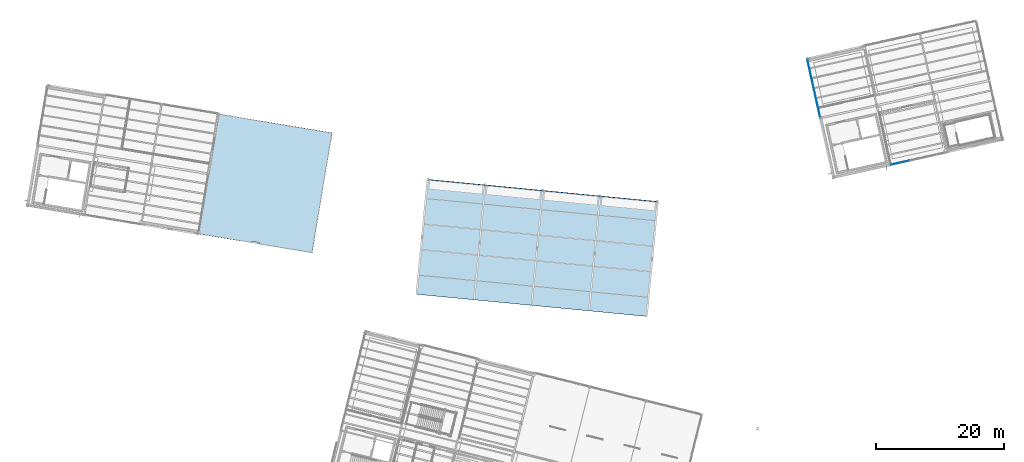
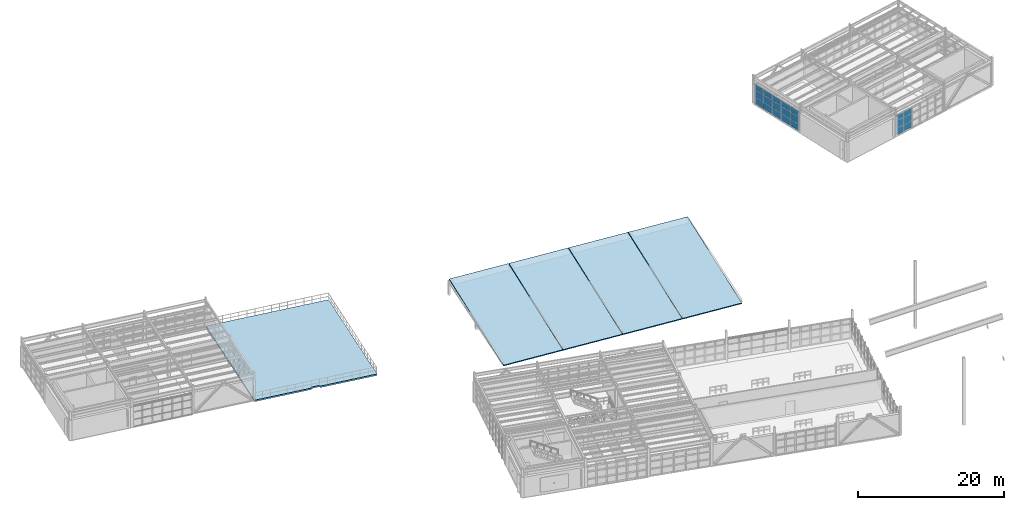
# One storey, part 38 of 59: 21 plates, 5 slabs, 2 elements without a shape of their own.
"""IFC4 building model written with IfcOpenShell, lengths in metres."""

import ifcopenshell
import ifcopenshell.guid

model = None  # the IFC model being written
_history = None  # IfcOwnerHistory: only IFC2X3 demands one
_inside = {}  # id of a spatial element -> (the spatial element, [elements in it])
_under = {}  # id of a project, library or spatial element -> (it, [spatial elements below it])
_declared = {}  # id of a project -> (the project, [libraries it declares])
_typed = {}  # id of a type object -> (the type object, [elements of that type])
_made_of = {}  # id of a material, layer set ... -> (it, [elements and type objects made of it])


def new_model(schema):
    """Start an empty IFC model of exactly this schema.

    Asked for "IFC4X3", IfcOpenShell would pick the latest addendum, in which some entities
    have other attributes; the version numbers below select the first issue.
    IFC2X3 requires an IfcOwnerHistory on every rooted entity: one is made here for all.
    """
    global model, _history
    if schema == "IFC4X3":
        model = ifcopenshell.file(schema_version=(4, 3, 0, 0))
    else:
        model = ifcopenshell.file(schema=schema)
    _inside.clear()
    _under.clear()
    _declared.clear()
    _typed.clear()
    _made_of.clear()
    _history = None
    if model.schema == "IFC2X3":
        org = make("IfcOrganization", Name="unknown")
        user = make(
            "IfcPersonAndOrganization",
            ThePerson=make("IfcPerson", FamilyName="unknown"),
            TheOrganization=org,
        )
        app = make(
            "IfcApplication",
            ApplicationDeveloper=org,
            Version="unknown",
            ApplicationFullName="unknown",
            ApplicationIdentifier="unknown",
        )
        _history = make(
            "IfcOwnerHistory",
            OwningUser=user,
            OwningApplication=app,
            ChangeAction="ADDED",
            CreationDate=0,
        )
    return model


def make(cls, **values):
    """One entity of the class cls with the attributes given. An attribute that is None is left unset."""
    return model.create_entity(
        cls, **{name: value for name, value in values.items() if value is not None}
    )


def rooted(cls, **values):
    """An entity with a GlobalId (a new one), such as an element, a storey or a relation."""
    return make(cls, GlobalId=ifcopenshell.guid.new(), OwnerHistory=_history, **values)


def si_unit(unit_type, name, prefix=None):
    """IfcSIUnit, for example si_unit("LENGTHUNIT", "METRE", prefix="MILLI")."""
    return make("IfcSIUnit", UnitType=unit_type, Prefix=prefix, Name=name)


def assignment(units):
    """IfcUnitAssignment: the units of a project."""
    return None if units is None else make("IfcUnitAssignment", Units=units)


def point(xyz):
    """IfcCartesianPoint."""
    return None if xyz is None else make("IfcCartesianPoint", Coordinates=xyz)


def direction(xyz):
    """IfcDirection."""
    return None if xyz is None else make("IfcDirection", DirectionRatios=xyz)


def frame(location, z_axis=None, x_axis=None):
    """IfcAxis2Placement3D, a coordinate frame: its origin and axes. An axis left out is left unset."""
    return make(
        "IfcAxis2Placement3D",
        Location=point(location),
        Axis=direction(z_axis),
        RefDirection=direction(x_axis),
    )


def frame_2d(location, x_axis=None):
    """IfcAxis2Placement2D, a coordinate frame in the plane: its origin and x axis."""
    return make(
        "IfcAxis2Placement2D", Location=point(location), RefDirection=direction(x_axis)
    )


def origin():
    """The frame at (0, 0, 0) with its axes left unset."""
    return frame((0.0, 0.0, 0.0))


def origin_2d():
    """The frame at (0, 0) in the plane with its x axis left unset."""
    return frame_2d((0.0, 0.0))


def place(relative_to, where):
    """IfcLocalPlacement: puts the frame where relative to a parent placement (None: the world)."""
    return make(
        "IfcLocalPlacement", PlacementRelTo=relative_to, RelativePlacement=where
    )


def context(
    kind, dimensions, precision=None, world=None, true_north=None, identifier=None
):
    """IfcGeometricRepresentationContext, for example the 3D "Model" context."""
    return make(
        "IfcGeometricRepresentationContext",
        ContextIdentifier=identifier,
        ContextType=kind,
        CoordinateSpaceDimension=dimensions,
        Precision=precision,
        WorldCoordinateSystem=world,
        TrueNorth=true_north,
    )


def subcontext(parent, identifier, kind, view, scale=None):
    """IfcGeometricRepresentationSubContext, for example "Body" below "Model"."""
    return make(
        "IfcGeometricRepresentationSubContext",
        ContextIdentifier=identifier,
        ContextType=kind,
        ParentContext=parent,
        TargetScale=scale,
        TargetView=view,
    )


def project(units=None, contexts=None):
    """IfcProject with its units and contexts."""
    return rooted(
        "IfcProject",
        Name="project",
        RepresentationContexts=contexts,
        UnitsInContext=assignment(units),
    )


def spatial(cls, under=None, at=None, **own):
    """A site, building, storey or space (cls), placed at a placement, below another one or the project."""
    s = rooted(cls, ObjectPlacement=at, **own)
    if under is not None:
        _under.setdefault(under.id(), (under, []))[1].append(s)
    return s


def polyline(points):
    """IfcPolyline through the points."""
    return make("IfcPolyline", Points=[point(p) for p in points])


def profile(cls, at=None, kind="AREA", **sizes):
    """A parametric profile (cls). Its sizes go by their IFC names, for example OverallWidth=200.0."""
    return make(cls, ProfileType=kind, Position=at, **sizes)


def rectangle(**sizes):
    """IfcRectangleProfileDef."""
    return profile("IfcRectangleProfileDef", **sizes)


def outline(outer, holes=None, kind="AREA"):
    """IfcArbitraryClosedProfileDef: a profile drawn as a closed curve; with holes, ...WithVoids."""
    if holes is None:
        return make("IfcArbitraryClosedProfileDef", ProfileType=kind, OuterCurve=outer)
    return make(
        "IfcArbitraryProfileDefWithVoids",
        ProfileType=kind,
        OuterCurve=outer,
        InnerCurves=holes,
    )


def extrude(swept, where, along, depth):
    """IfcExtrudedAreaSolid: the profile swept, set in the frame where, extruded along a direction by depth."""
    return make(
        "IfcExtrudedAreaSolid",
        SweptArea=swept,
        Position=where,
        ExtrudedDirection=direction(along),
        Depth=depth,
    )


def shape(context_of_items, identifier, shape_type, items):
    """IfcShapeRepresentation: the items that make up one representation, for example the "Body"."""
    return make(
        "IfcShapeRepresentation",
        ContextOfItems=context_of_items,
        RepresentationIdentifier=identifier,
        RepresentationType=shape_type,
        Items=items,
    )


def material(Name=None, Category=None):
    """IfcMaterial."""
    return make("IfcMaterial", Name=Name, Category=Category)


def layer(
    of_material, thickness, ventilated=None, Name=None, Category=None, Priority=None
):
    """IfcMaterialLayer: one layer of a wall or slab, of a material (None: an air gap)."""
    return make(
        "IfcMaterialLayer",
        Material=of_material,
        LayerThickness=thickness,
        IsVentilated=ventilated,
        Name=Name,
        Category=Category,
        Priority=Priority,
    )


def layer_set(layers, Name=None):
    """IfcMaterialLayerSet."""
    return make("IfcMaterialLayerSet", MaterialLayers=layers, LayerSetName=Name)


def made_of(thing, what):
    """Note that an element or type object is made of a material, layer set ...; save() writes the relation."""
    if what is not None:
        _made_of.setdefault(what.id(), (what, []))[1].append(thing)
    return thing


def type_object(cls, material=None, **own):
    """A type object (cls), such as IfcWallType, which elements share."""
    return made_of(rooted(cls, **own), material)


def element(
    cls,
    number,
    at=None,
    inside=None,
    cuts=None,
    type_object=None,
    material=None,
    context=None,
    identifier="Body",
    shape_type=None,
    held_by="IfcProductDefinitionShape",
    body=None,
    shapes=None,
    **own,
):
    """One element of the class cls, such as IfcWall. Its Tag is "e" and its number.

    at: its placement. inside: the storey or other place that contains it. cuts: it is an
    opening in that element (IfcRelVoidsElement). A single representation is given by context,
    identifier, shape_type and body (its items); several are given by shapes. held_by: the class
    of the entity that holds the representations. save() writes the other relations.
    """
    e = rooted(cls, Tag="e%d" % number, ObjectPlacement=at, **own)
    if body is not None:
        shapes = [shape(context, identifier, shape_type, body)]
    if shapes is not None:
        e.Representation = make(held_by, Representations=shapes)
    if inside is not None:
        _inside.setdefault(inside.id(), (inside, []))[1].append(e)
    if cuts is not None:
        rooted(
            "IfcRelVoidsElement", RelatingBuildingElement=cuts, RelatedOpeningElement=e
        )
    if type_object is not None:
        _typed.setdefault(type_object.id(), (type_object, []))[1].append(e)
    return made_of(e, material)


def aggregate(whole, parts):
    """IfcRelAggregates: a whole, such as a stair, and the parts it consists of."""
    return rooted("IfcRelAggregates", RelatingObject=whole, RelatedObjects=parts)


def save(model, path):
    """Write the relations noted so far, then the file.

    IfcRelAggregates (storeys below a building ...), IfcRelContainedInSpatialStructure (elements
    in a storey), IfcRelDefinesByType, IfcRelAssociatesMaterial and IfcRelDeclares: one each for
    every whole, place, type object, material and project.
    """
    for whole, parts in _under.values():
        aggregate(whole, parts)
    for where, things in _inside.values():
        rooted(
            "IfcRelContainedInSpatialStructure",
            RelatedElements=things,
            RelatingStructure=where,
        )
    for kind, things in _typed.values():
        rooted("IfcRelDefinesByType", RelatedObjects=things, RelatingType=kind)
    for what, things in _made_of.values():
        rooted("IfcRelAssociatesMaterial", RelatedObjects=things, RelatingMaterial=what)
    for by, libraries in _declared.values():
        rooted("IfcRelDeclares", RelatingContext=by, RelatedDefinitions=libraries)
    model.write(path)


model = new_model("IFC4")

# Units and contexts
model_context = context("Model", 3, precision=1e-05, world=origin(), true_north=direction((0.0, 1.0)))
body_context = subcontext(model_context, "Body", "Model", "MODEL_VIEW")
ifc_project = project(units=[si_unit("LENGTHUNIT", "METRE"), si_unit("AREAUNIT", "SQUARE_METRE"), si_unit("VOLUMEUNIT", "CUBIC_METRE"), si_unit("PLANEANGLEUNIT", "RADIAN"), si_unit("MASSUNIT", "GRAM", prefix="KILO")], contexts=[model_context])

# Site, building, storey
site_placement = place(None, origin())
site = spatial("IfcSite", under=ifc_project, at=site_placement, CompositionType="ELEMENT")
building_placement = place(site_placement, origin())
building = spatial("IfcBuilding", under=site, at=building_placement, Name="Vireo Bluff Cable Station", CompositionType="ELEMENT")
storey_placement = place(building_placement, frame((0.0, 0.0, 14.39990234375)))
storey = spatial("IfcBuildingStorey", under=building, at=storey_placement, Name="L03", CompositionType="ELEMENT", Elevation=14.39990234375)

# Curtain wall, plates
ifc_material_1 = material(Name="Anodized Aluminium 6063-T6", Category="aluminium")
ifc_layer_1 = layer(ifc_material_1, 0.179931640625, Name="Anodized Aluminium 6063-T6")
ifc_layer_set_1 = layer_set([ifc_layer_1], Name="Anodized Aluminium 6063-T6")
curtain_wall_type_1 = type_object("IfcCurtainWallType", Name="CW-UNIT-1500", PredefinedType="USERDEFINED", material=ifc_layer_set_1)
curtain_wall_1_placement = place(storey_placement, origin())
curtain_wall_1 = element("IfcCurtainWall", 1, at=curtain_wall_1_placement, inside=storey, type_object=curtain_wall_type_1, Name="V2 L03 south curtain wall CW-061", ObjectType="UNITISED CURTAIN WALL", PredefinedType="USERDEFINED")
ifc_material_2 = material(Name="Laminated Low-E Insulated Glass", Category="glass")
ifc_layer_2 = layer(ifc_material_2, 0.031982421875, Name="Laminated Low-E Insulated Glass")
ifc_layer_set_2 = layer_set([ifc_layer_2], Name="Laminated Low-E Insulated Glass")
plate_type_1 = type_object("IfcPlateType", Name="CWP-32-2", PredefinedType="CURTAIN_PANEL", material=ifc_layer_set_2)
plate_1_placement = place(storey_placement, frame((143.758544921875, 87.667724609375, 0.0751953125), z_axis=(0.0, 0.0, 1.0), x_axis=(-0.976296008914, -0.216439605844, 0.0)))
plate_1 = element("IfcPlate", 2, at=plate_1_placement, type_object=plate_type_1, Name="CW-061 panel 5.1", PredefinedType="CURTAIN_PANEL", context=body_context, shape_type="SweptSolid", body=[
    extrude(rectangle(XDim=1.38623046875, YDim=0.031982421875, at=origin_2d()), origin(), (0.0, 0.0, 1.0), 1.077392578125),
])
plate_2_placement = place(storey_placement, frame((143.758544921875, 87.667724609375, 1.2275390625), z_axis=(0.0, 0.0, 1.0), x_axis=(-0.976296008914, -0.216439605844, 0.0)))
plate_2 = element("IfcPlate", 3, at=plate_2_placement, type_object=plate_type_1, Name="CW-061 panel 5.2", PredefinedType="CURTAIN_PANEL", context=body_context, shape_type="SweptSolid", body=[
    extrude(rectangle(XDim=1.38623046875, YDim=0.031982421875, at=origin_2d()), origin(), (0.0, 0.0, 1.0), 1.18310546875),
])
plate_3_placement = place(storey_placement, frame((143.758544921875, 87.667724609375, 2.4853515625), z_axis=(0.0, 0.0, 1.0), x_axis=(-0.976296008914, -0.216439605844, 0.0)))
plate_3 = element("IfcPlate", 4, at=plate_3_placement, type_object=plate_type_1, Name="CW-061 panel 5.3", PredefinedType="CURTAIN_PANEL", context=body_context, shape_type="SweptSolid", body=[
    extrude(rectangle(XDim=1.38623046875, YDim=0.031982421875, at=origin_2d()), origin(), (0.0, 0.0, 1.0), 0.839599609375),
])
plate_4_placement = place(storey_placement, frame((142.350341796875, 87.35546875, 0.0751953125), z_axis=(0.0, 0.0, 1.0), x_axis=(-0.976296008914, -0.216439605844, 0.0)))
plate_4 = element("IfcPlate", 5, at=plate_4_placement, type_object=plate_type_1, Name="CW-061 panel 6.1", PredefinedType="CURTAIN_PANEL", context=body_context, shape_type="SweptSolid", body=[
    extrude(rectangle(XDim=1.3486328125, YDim=0.031982421875, at=origin_2d()), origin(), (0.0, 0.0, 1.0), 1.077392578125),
])
plate_5_placement = place(storey_placement, frame((142.350341796875, 87.35546875, 1.2275390625), z_axis=(0.0, 0.0, 1.0), x_axis=(-0.976296008914, -0.216439605844, 0.0)))
plate_5 = element("IfcPlate", 6, at=plate_5_placement, type_object=plate_type_1, Name="CW-061 panel 6.2", PredefinedType="CURTAIN_PANEL", context=body_context, shape_type="SweptSolid", body=[
    extrude(rectangle(XDim=1.3486328125, YDim=0.031982421875, at=origin_2d()), origin(), (0.0, 0.0, 1.0), 1.18310546875),
])
plate_6_placement = place(storey_placement, frame((142.350341796875, 87.35546875, 2.4853515625), z_axis=(0.0, 0.0, 1.0), x_axis=(-0.976296008914, -0.216439605844, 0.0)))
plate_6 = element("IfcPlate", 7, at=plate_6_placement, type_object=plate_type_1, Name="CW-061 panel 6.3", PredefinedType="CURTAIN_PANEL", context=body_context, shape_type="SweptSolid", body=[
    extrude(rectangle(XDim=1.3486328125, YDim=0.031982421875, at=origin_2d()), origin(), (0.0, 0.0, 1.0), 0.839599609375),
])
aggregate(curtain_wall_1, [plate_1, plate_2, plate_3, plate_4, plate_5, plate_6])

ifc_layer_3 = layer(ifc_material_1, 0.159912109375, Name="Anodized Aluminium 6063-T6")
ifc_layer_set_3 = layer_set([ifc_layer_3], Name="Anodized Aluminium 6063-T6")
curtain_wall_type_2 = type_object("IfcCurtainWallType", Name="CW-STICK-1750", PredefinedType="USERDEFINED", material=ifc_layer_set_3)
curtain_wall_2_placement = place(storey_placement, origin())
curtain_wall_2 = element("IfcCurtainWall", 8, at=curtain_wall_2_placement, inside=storey, type_object=curtain_wall_type_2, Name="V2 L03 west curtain wall CW-062", ObjectType="STICK CURTAIN WALL", PredefinedType="USERDEFINED")
ifc_layer_4 = layer(ifc_material_2, 0.035888671875, Name="Laminated Low-E Insulated Glass")
ifc_layer_set_4 = layer_set([ifc_layer_4], Name="Laminated Low-E Insulated Glass")
plate_type_2 = type_object("IfcPlateType", Name="CWP-36-3", PredefinedType="CURTAIN_PANEL", material=ifc_layer_set_4)
plate_7_placement = place(storey_placement, frame((130.443603515625, 95.538818359375, 0.06005859375), z_axis=(0.0, 0.0, 1.0), x_axis=(-0.216439622134, 0.976296005303, 0.0)))
plate_7 = element("IfcPlate", 9, at=plate_7_placement, type_object=plate_type_2, Name="CW-062 panel 1.1", PredefinedType="CURTAIN_PANEL", context=body_context, shape_type="SweptSolid", body=[
    extrude(rectangle(XDim=1.7529296875, YDim=0.035888671875, at=origin_2d()), origin(), (0.0, 0.0, 1.0), 1.10009765625),
])
plate_8_placement = place(storey_placement, frame((130.443603515625, 95.538818359375, 1.22021484375), z_axis=(0.0, 0.0, 1.0), x_axis=(-0.216439622134, 0.976296005303, 0.0)))
plate_8 = element("IfcPlate", 10, at=plate_8_placement, type_object=plate_type_2, Name="CW-062 panel 1.2", PredefinedType="CURTAIN_PANEL", context=body_context, shape_type="SweptSolid", body=[
    extrude(rectangle(XDim=1.7529296875, YDim=0.035888671875, at=origin_2d()), origin(), (0.0, 0.0, 1.0), 1.197998046875),
])
plate_9_placement = place(storey_placement, frame((130.443603515625, 95.538818359375, 2.47802734375), z_axis=(0.0, 0.0, 1.0), x_axis=(-0.216439622134, 0.976296005303, 0.0)))
plate_9 = element("IfcPlate", 11, at=plate_9_placement, type_object=plate_type_2, Name="CW-062 panel 1.3", PredefinedType="CURTAIN_PANEL", context=body_context, shape_type="SweptSolid", body=[
    extrude(rectangle(XDim=1.7529296875, YDim=0.035888671875, at=origin_2d()), origin(), (0.0, 0.0, 1.0), 0.862060546875),
])
plate_10_placement = place(storey_placement, frame((130.0478515625, 97.3232421875, 0.06005859375), z_axis=(0.0, 0.0, 1.0), x_axis=(-0.216439622134, 0.976296005303, 0.0)))
plate_10 = element("IfcPlate", 12, at=plate_10_placement, type_object=plate_type_2, Name="CW-062 panel 2.1", PredefinedType="CURTAIN_PANEL", context=body_context, shape_type="SweptSolid", body=[
    extrude(rectangle(XDim=1.782958984375, YDim=0.035888671875, at=origin_2d()), origin(), (0.0, 0.0, 1.0), 1.10009765625),
])
plate_11_placement = place(storey_placement, frame((130.0478515625, 97.3232421875, 1.22021484375), z_axis=(0.0, 0.0, 1.0), x_axis=(-0.216439622134, 0.976296005303, 0.0)))
plate_11 = element("IfcPlate", 13, at=plate_11_placement, type_object=plate_type_2, Name="CW-062 panel 2.2", PredefinedType="CURTAIN_PANEL", context=body_context, shape_type="SweptSolid", body=[
    extrude(rectangle(XDim=1.782958984375, YDim=0.035888671875, at=origin_2d()), origin(), (0.0, 0.0, 1.0), 1.197998046875),
])
plate_12_placement = place(storey_placement, frame((130.0478515625, 97.3232421875, 2.47802734375), z_axis=(0.0, 0.0, 1.0), x_axis=(-0.216439622134, 0.976296005303, 0.0)))
plate_12 = element("IfcPlate", 14, at=plate_12_placement, type_object=plate_type_2, Name="CW-062 panel 2.3", PredefinedType="CURTAIN_PANEL", context=body_context, shape_type="SweptSolid", body=[
    extrude(rectangle(XDim=1.782958984375, YDim=0.035888671875, at=origin_2d()), origin(), (0.0, 0.0, 1.0), 0.862060546875),
])
plate_13_placement = place(storey_placement, frame((129.64892578125, 99.12255859375, 0.06005859375), z_axis=(0.0, 0.0, 1.0), x_axis=(-0.216439622134, 0.976296005303, 0.0)))
plate_13 = element("IfcPlate", 15, at=plate_13_placement, type_object=plate_type_2, Name="CW-062 panel 3.1", PredefinedType="CURTAIN_PANEL", context=body_context, shape_type="SweptSolid", body=[
    extrude(rectangle(XDim=1.782958984375, YDim=0.035888671875, at=origin_2d()), origin(), (0.0, 0.0, 1.0), 1.10009765625),
])
plate_14_placement = place(storey_placement, frame((129.64892578125, 99.12255859375, 1.22021484375), z_axis=(0.0, 0.0, 1.0), x_axis=(-0.216439622134, 0.976296005303, 0.0)))
plate_14 = element("IfcPlate", 16, at=plate_14_placement, type_object=plate_type_2, Name="CW-062 panel 3.2", PredefinedType="CURTAIN_PANEL", context=body_context, shape_type="SweptSolid", body=[
    extrude(rectangle(XDim=1.782958984375, YDim=0.035888671875, at=origin_2d()), origin(), (0.0, 0.0, 1.0), 1.197998046875),
])
plate_15_placement = place(storey_placement, frame((129.64892578125, 99.12255859375, 2.47802734375), z_axis=(0.0, 0.0, 1.0), x_axis=(-0.216439622134, 0.976296005303, 0.0)))
plate_15 = element("IfcPlate", 17, at=plate_15_placement, type_object=plate_type_2, Name="CW-062 panel 3.3", PredefinedType="CURTAIN_PANEL", context=body_context, shape_type="SweptSolid", body=[
    extrude(rectangle(XDim=1.782958984375, YDim=0.035888671875, at=origin_2d()), origin(), (0.0, 0.0, 1.0), 0.862060546875),
])
plate_16_placement = place(storey_placement, frame((129.25, 100.921875, 0.06005859375), z_axis=(0.0, 0.0, 1.0), x_axis=(-0.216439622134, 0.976296005303, 0.0)))
plate_16 = element("IfcPlate", 18, at=plate_16_placement, type_object=plate_type_2, Name="CW-062 panel 4.1", PredefinedType="CURTAIN_PANEL", context=body_context, shape_type="SweptSolid", body=[
    extrude(rectangle(XDim=1.782958984375, YDim=0.035888671875, at=origin_2d()), origin(), (0.0, 0.0, 1.0), 1.10009765625),
])
plate_17_placement = place(storey_placement, frame((129.25, 100.921875, 1.22021484375), z_axis=(0.0, 0.0, 1.0), x_axis=(-0.216439622134, 0.976296005303, 0.0)))
plate_17 = element("IfcPlate", 19, at=plate_17_placement, type_object=plate_type_2, Name="CW-062 panel 4.2", PredefinedType="CURTAIN_PANEL", context=body_context, shape_type="SweptSolid", body=[
    extrude(rectangle(XDim=1.782958984375, YDim=0.035888671875, at=origin_2d()), origin(), (0.0, 0.0, 1.0), 1.197998046875),
])
plate_18_placement = place(storey_placement, frame((129.25, 100.921875, 2.47802734375), z_axis=(0.0, 0.0, 1.0), x_axis=(-0.216439622134, 0.976296005303, 0.0)))
plate_18 = element("IfcPlate", 20, at=plate_18_placement, type_object=plate_type_2, Name="CW-062 panel 4.3", PredefinedType="CURTAIN_PANEL", context=body_context, shape_type="SweptSolid", body=[
    extrude(rectangle(XDim=1.782958984375, YDim=0.035888671875, at=origin_2d()), origin(), (0.0, 0.0, 1.0), 0.862060546875),
])
plate_19_placement = place(storey_placement, frame((128.8544921875, 102.706298828125, 0.06005859375), z_axis=(0.0, 0.0, 1.0), x_axis=(-0.216439622134, 0.976296005303, 0.0)))
plate_19 = element("IfcPlate", 21, at=plate_19_placement, type_object=plate_type_2, Name="CW-062 panel 5.1", PredefinedType="CURTAIN_PANEL", context=body_context, shape_type="SweptSolid", body=[
    extrude(rectangle(XDim=1.7529296875, YDim=0.035888671875, at=origin_2d()), origin(), (0.0, 0.0, 1.0), 1.10009765625),
])
plate_20_placement = place(storey_placement, frame((128.8544921875, 102.706298828125, 1.22021484375), z_axis=(0.0, 0.0, 1.0), x_axis=(-0.216439622134, 0.976296005303, 0.0)))
plate_20 = element("IfcPlate", 22, at=plate_20_placement, type_object=plate_type_2, Name="CW-062 panel 5.2", PredefinedType="CURTAIN_PANEL", context=body_context, shape_type="SweptSolid", body=[
    extrude(rectangle(XDim=1.7529296875, YDim=0.035888671875, at=origin_2d()), origin(), (0.0, 0.0, 1.0), 1.197998046875),
])
plate_21_placement = place(storey_placement, frame((128.8544921875, 102.706298828125, 2.47802734375), z_axis=(0.0, 0.0, 1.0), x_axis=(-0.216439622134, 0.976296005303, 0.0)))
plate_21 = element("IfcPlate", 23, at=plate_21_placement, type_object=plate_type_2, Name="CW-062 panel 5.3", PredefinedType="CURTAIN_PANEL", context=body_context, shape_type="SweptSolid", body=[
    extrude(rectangle(XDim=1.7529296875, YDim=0.035888671875, at=origin_2d()), origin(), (0.0, 0.0, 1.0), 0.862060546875),
])
aggregate(curtain_wall_2, [plate_7, plate_8, plate_9, plate_10, plate_11, plate_12, plate_13, plate_14, plate_15, plate_16, plate_17, plate_18, plate_19, plate_20, plate_21])

# Slabs
ifc_material_3 = material(Name="Concrete f'c 40 MPa", Category="concrete")
ifc_layer_5 = layer(ifc_material_3, 0.169921875, Name="Concrete f'c 40 MPa")
ifc_layer_set_5 = layer_set([ifc_layer_5], Name="Concrete f'c 40 MPa")
slab_type_1 = type_object("IfcSlabType", Name="ROOFSLAB-170-3", PredefinedType="ROOF", material=ifc_layer_set_5)
slab_1_placement = place(storey_placement, frame((67.76806640625, 67.0009765625, -0.349853515625), z_axis=(-0.015758245518, -0.163641074073, 0.986394077727), x_axis=(0.9953952625, -0.095855471373, -2.12245e-07)))
element("IfcSlab", 24, at=slab_1_placement, inside=storey, type_object=slab_type_1, Name="V3 mono-pitch wing roof bay 1", PredefinedType="ROOF", context=body_context, shape_type="SweptSolid", body=[
    extrude(outline(polyline([(0.0, 0.0), (8.939847321139775, 0.0), (8.939778601278247, 18.248401627243954), (-0.0003117362830377647, 18.248378543429503), (0.0, 0.0)])), origin(), (0.0, 0.0, -1.0), 0.169921875),
])
slab_2_placement = place(storey_placement, frame((76.7265625, 66.138427734375, -0.349853515625), z_axis=(-0.015756124859, -0.163642363033, 0.986393897766), x_axis=(0.995395297709, -0.095855105723, -2.41629e-06)))
element("IfcSlab", 25, at=slab_2_placement, inside=storey, type_object=slab_type_1, Name="V3 mono-pitch wing roof bay 2", PredefinedType="ROOF", context=body_context, shape_type="SweptSolid", body=[
    extrude(outline(polyline([(0.0, 0.0), (8.939847321113161, 0.0), (8.939778601304862, 18.24840162723092), (-0.0002883341129825045, 18.24813883350626), (0.0, 0.0)])), origin(), (0.0, 0.0, -1.0), 0.169921875),
])
slab_3_placement = place(storey_placement, frame((85.68505859375, 65.27587890625, -0.349853515625), z_axis=(-0.01575845252, -0.163643223682, 0.986393717801), x_axis=(0.995395506634, -0.095852936176, 2.12242e-07)))
element("IfcSlab", 26, at=slab_3_placement, inside=storey, type_object=slab_type_1, Name="V3 mono-pitch wing roof bay 3", PredefinedType="ROOF", context=body_context, shape_type="SweptSolid", body=[
    extrude(outline(polyline([(0.0, 0.0), (8.940090337591085, 0.0), (8.93984912123165, 18.248138834202962), (1.8001216746391274e-06, 18.24816191738151), (0.0, 0.0)])), origin(), (0.0, 0.0, -1.0), 0.169921875),
])
slab_4_placement = place(storey_placement, frame((94.6435546875, 64.4130859375, -0.349853515625), z_axis=(-0.015755900748, -0.163642280168, 0.986393915093), x_axis=(0.995398080009, -0.095826208891, 2.204018e-06)))
element("IfcSlab", 27, at=slab_4_placement, inside=storey, type_object=slab_type_1, Name="V3 mono-pitch wing roof bay 4", PredefinedType="ROOF", context=body_context, shape_type="SweptSolid", body=[
    extrude(outline(polyline([(0.0, 0.0), (8.940066939284769, -2.220446049250313e-16), (8.940558027254658, 18.248161910762782), (0.0004676928993610101, 18.248401621369215), (0.0, 0.0)])), origin(), (0.0, 0.0, -1.0), 0.169921875),
])
ifc_layer_6 = layer(ifc_material_3, 0.25, Name="Concrete f'c 40 MPa")
ifc_layer_set_6 = layer_set([ifc_layer_6], Name="Concrete f'c 40 MPa")
slab_type_2 = type_object("IfcSlabType", Name="TERRACESLAB-250", PredefinedType="FLOOR", material=ifc_layer_set_6)
slab_5_placement = place(storey_placement, frame((0.0, 0.0, -0.25)))
element("IfcSlab", 28, at=slab_5_placement, inside=storey, type_object=slab_type_2, Name="V4 L03 walkable outdoor terrace slab", PredefinedType="FLOOR", context=body_context, shape_type="SweptSolid", body=[
    extrude(outline(polyline([(33.71728515625, 76.41015625), (41.943115234375, 75.03369140625), (41.979248046875, 75.250732421875), (43.261474609375, 75.0361328125), (43.22509765625, 74.819091796875), (51.45068359375, 73.442626953125), (54.586669921875, 92.181884765625), (36.853271484375, 95.149658203125), (33.71728515625, 76.41015625)])), origin(), (0.0, 0.0, 1.0), 0.25),
])

save(model, "model.ifc")
